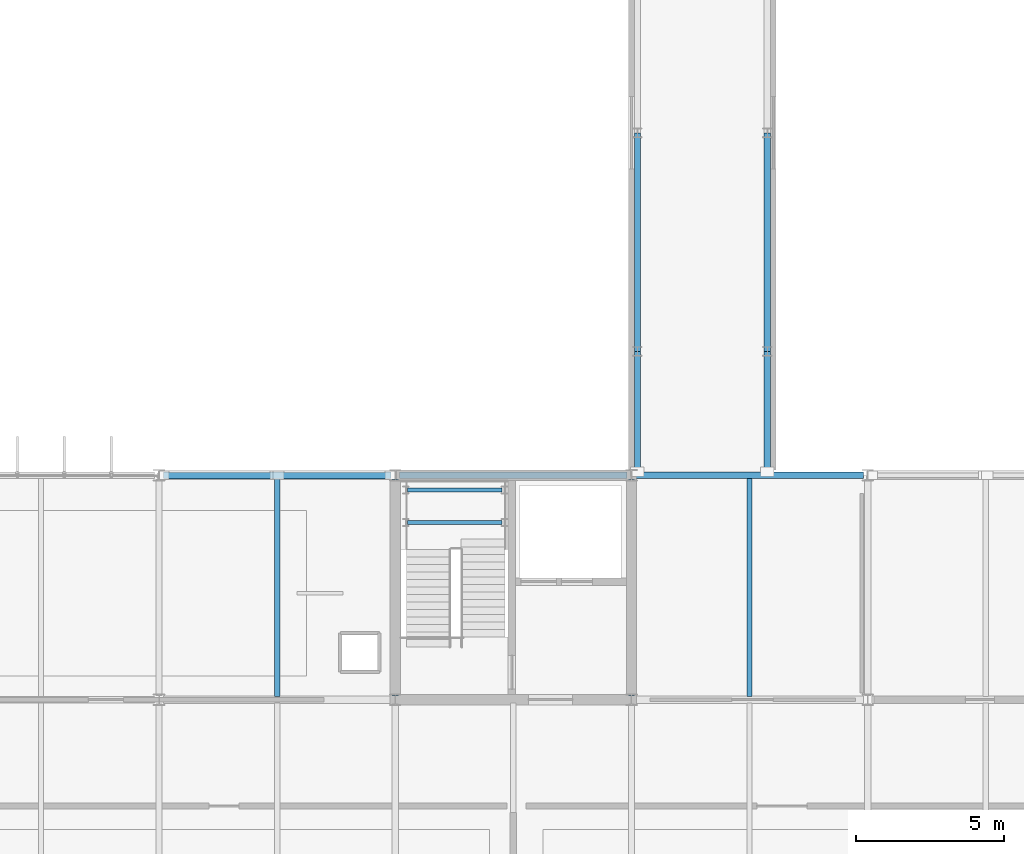
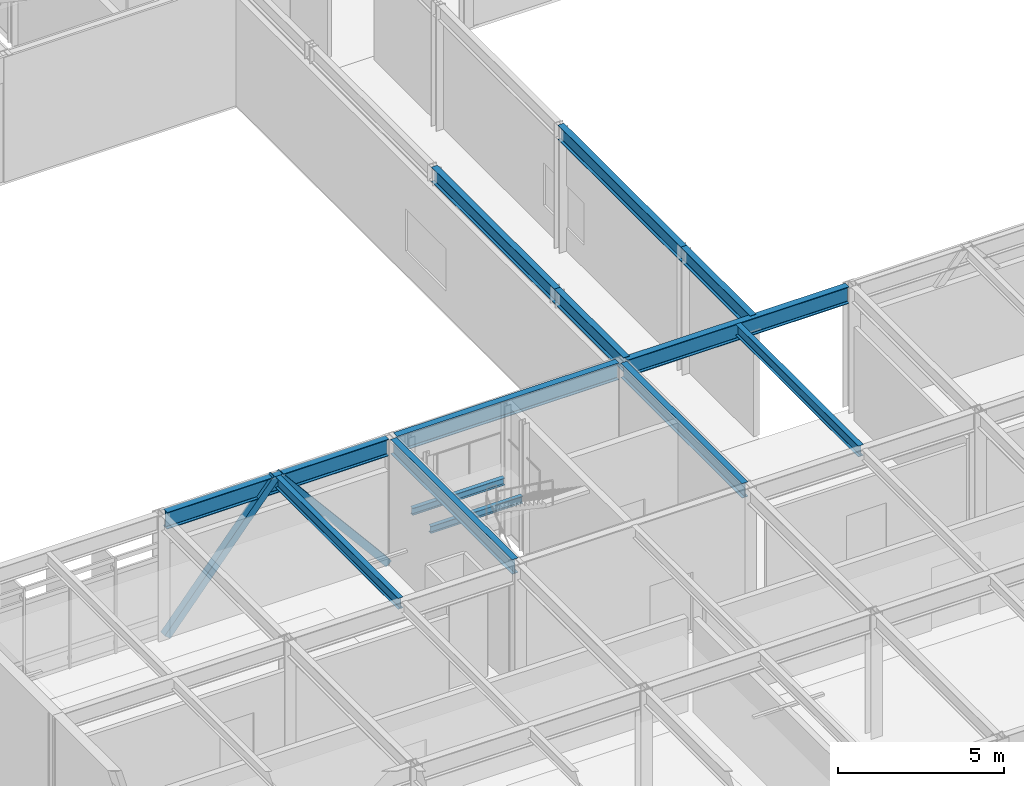
# One storey, part 28 of 104: 13 beams, 2 members.
"""IFC4 building model written with IfcOpenShell, lengths in metres."""

from ifc_helpers import new_model, si_unit, direction, frame, origin, origin_2d, place, context, subcontext, project, spatial, hollow_rectangle, i_section, extrude, material, material_profile, profile_set, type_object, element, save


model = new_model("IFC4")

# Units and contexts
model_context = context("Model", 3, precision=1e-05, world=origin(), true_north=direction((0.0, 1.0)))
body_context = subcontext(model_context, "Body", "Model", "MODEL_VIEW")
ifc_project = project(units=[si_unit("LENGTHUNIT", "METRE"), si_unit("AREAUNIT", "SQUARE_METRE"), si_unit("VOLUMEUNIT", "CUBIC_METRE"), si_unit("PLANEANGLEUNIT", "RADIAN"), si_unit("MASSUNIT", "GRAM", prefix="KILO")], contexts=[model_context])

# Site, building, storey
site_placement = place(None, origin())
site = spatial("IfcSite", under=ifc_project, at=site_placement, CompositionType="ELEMENT")
building_placement = place(site_placement, origin())
building = spatial("IfcBuilding", under=site, at=building_placement, Name="Zulena Civic Courthouse", CompositionType="ELEMENT")
storey_placement = place(building_placement, frame((0.0, 0.0, 10.800048828125)))
storey = spatial("IfcBuildingStorey", under=building, at=storey_placement, Name="L02", CompositionType="ELEMENT", Elevation=10.800048828125)

# Members
ifc_material_1 = material(Name="Steel ASTM A500 Grade C", Category="steel")
ifc_material_profile_1 = material_profile(ifc_material_1, hollow_rectangle(XDim=0.25390625, YDim=0.25390625, WallThickness=0.01171875, at=origin_2d()), Name="HSS10X10X1/2")
ifc_profile_set_1 = profile_set([ifc_material_profile_1], Name="Steel ASTM A500 Grade C")
member_type = type_object("IfcMemberType", Name="Brace_HSS10", PredefinedType="BRACE", material=ifc_profile_set_1)
for number, where, z_axis, x_axis, name in (
    (1, (12.14990234375, 22.800048828125, 0.010009765625), (0.641014438311, 0.0, 0.767528820225), (0.0, 1.0, 0.0), "brace:V2:L02:0:0"),
    (2, (19.85009765625, 22.800048828125, 0.010009765625), (-0.641014438311, 0.0, 0.767528820225), (0.0, -1.0, 0.0), "brace:V2:L02:0:1"),
):
    element("IfcMember", number, at=place(storey_placement, frame(where, z_axis=z_axis, x_axis=x_axis)), inside=storey, type_object=member_type, Name=name, PredefinedType="BRACE", context=body_context, shape_type="SweptSolid", body=[
        extrude(hollow_rectangle(XDim=0.25390625, YDim=0.25390625, WallThickness=0.01171875, at=origin_2d()), origin(), (0.0, 0.0, 1.0), 5.92822265625),
    ])

# Beams
ifc_material_2 = material(Name="Steel ASTM A992 Grade 50", Category="steel")
ifc_material_profile_2 = material_profile(ifc_material_2, i_section(OverallWidth=0.2099609375, OverallDepth=0.537109375, WebThickness=0.010986328125, FlangeThickness=0.017333984375, FilletRadius=0.0126953125, at=origin_2d()), Name="W21X68")
ifc_profile_set_2 = profile_set([ifc_material_profile_2], Name="Steel ASTM A992 Grade 50")
beam_type_1 = type_object("IfcBeamType", Name="BridgeGirder_W21X68", PredefinedType="BEAM", material=ifc_profile_set_2)
beam_1_placement = place(storey_placement, frame((28.199951171875, 22.830078125, 4.33642578125), z_axis=(0.0, 1.0, 0.0), x_axis=(-1.0, 0.0, 0.0)))
element("IfcBeam", 3, at=beam_1_placement, inside=storey, type_object=beam_type_1, Name="beam:bridge:BR-52J:L03:28.20:0", PredefinedType="BEAM", context=body_context, shape_type="SweptSolid", body=[
    extrude(i_section(OverallWidth=0.2099609375, OverallDepth=0.537109375, WebThickness=0.010986328125, FlangeThickness=0.017333984375, FilletRadius=0.0126953125, at=origin_2d()), origin(), (0.0, 0.0, 1.0), 4.169921875),
])
beam_2_placement = place(storey_placement, frame((28.199951171875, 27.0, 4.33642578125), z_axis=(0.0, 1.0, 0.0), x_axis=(-1.0, 0.0, 0.0)))
element("IfcBeam", 4, at=beam_2_placement, inside=storey, type_object=beam_type_1, Name="beam:bridge:BR-52J:L03:28.20:1", PredefinedType="BEAM", context=body_context, shape_type="SweptSolid", body=[
    extrude(i_section(OverallWidth=0.2099609375, OverallDepth=0.537109375, WebThickness=0.010986328125, FlangeThickness=0.017333984375, FilletRadius=0.0126953125, at=origin_2d()), origin(), (0.0, 0.0, 1.0), 7.39990234375),
])
beam_3_placement = place(storey_placement, frame((32.60009765625, 22.830078125, 4.33642578125), z_axis=(0.0, 1.0, 0.0), x_axis=(-1.0, 0.0, 0.0)))
element("IfcBeam", 5, at=beam_3_placement, inside=storey, type_object=beam_type_1, Name="beam:bridge:BR-52J:L03:32.60:0", PredefinedType="BEAM", context=body_context, shape_type="SweptSolid", body=[
    extrude(i_section(OverallWidth=0.2099609375, OverallDepth=0.537109375, WebThickness=0.010986328125, FlangeThickness=0.017333984375, FilletRadius=0.0126953125, at=origin_2d()), origin(), (0.0, 0.0, 1.0), 4.169921875),
])
beam_4_placement = place(storey_placement, frame((32.60009765625, 27.0, 4.33642578125), z_axis=(0.0, 1.0, 0.0), x_axis=(-1.0, 0.0, 0.0)))
element("IfcBeam", 6, at=beam_4_placement, inside=storey, type_object=beam_type_1, Name="beam:bridge:BR-52J:L03:32.60:1", PredefinedType="BEAM", context=body_context, shape_type="SweptSolid", body=[
    extrude(i_section(OverallWidth=0.2099609375, OverallDepth=0.537109375, WebThickness=0.010986328125, FlangeThickness=0.017333984375, FilletRadius=0.0126953125, at=origin_2d()), origin(), (0.0, 0.0, 1.0), 7.39990234375),
])
ifc_material_profile_3 = material_profile(ifc_material_2, i_section(OverallWidth=0.14599609375, OverallDepth=0.258056640625, WebThickness=0.006103515625, FlangeThickness=0.009033203125, FilletRadius=0.007568359375, at=origin_2d()), Name="W10X22")
ifc_profile_set_3 = profile_set([ifc_material_profile_3], Name="Steel ASTM A992 Grade 50")
beam_type_2 = type_object("IfcBeamType", Name="Joist_W10X22", PredefinedType="JOIST", material=ifc_profile_set_3)
for number, where, z_axis, x_axis, name in (
    (7, (20.419921875, 21.199951171875, 1.990966796875), (1.0, 0.0, 0.0), (0.0, 1.0, 0.0), "beam:lnd:K2A:L02:0"),
    (8, (20.419921875, 22.300048828125, 1.990966796875), (1.0, 0.0, 0.0), (0.0, 1.0, 0.0), "beam:lnd:K2A:L02:1"),
):
    element("IfcBeam", number, at=place(storey_placement, frame(where, z_axis=z_axis, x_axis=x_axis)), inside=storey, type_object=beam_type_2, Name=name, PredefinedType="JOIST", context=body_context, shape_type="SweptSolid", body=[
        extrude(i_section(OverallWidth=0.14599609375, OverallDepth=0.258056640625, WebThickness=0.006103515625, FlangeThickness=0.009033203125, FilletRadius=0.007568359375, at=origin_2d()), origin(), (0.0, 0.0, 1.0), 3.2001953125),
    ])
ifc_material_profile_4 = material_profile(ifc_material_2, i_section(OverallWidth=0.177978515625, OverallDepth=0.406005859375, WebThickness=0.0078125, FlangeThickness=0.0126953125, FilletRadius=0.01025390625, at=origin_2d()), Name="W16X40")
ifc_profile_set_4 = profile_set([ifc_material_profile_4], Name="Steel ASTM A992 Grade 50")
beam_type_3 = type_object("IfcBeamType", Name="Joist_W16X40", PredefinedType="JOIST", material=ifc_profile_set_4)
for number, where, z_axis, x_axis, name in (
    (9, (16.0, 15.304931640625, 4.386962890625), (0.0, 1.0, 0.0), (-1.0, 0.0, 0.0), "joist:V2:L02:16.00:15.2_22.8"),
    (10, (32.0, 15.304931640625, 4.386962890625), (0.0, 1.0, 0.0), (-1.0, 0.0, 0.0), "joist:V2:L02:32.00:15.2_22.8"),
):
    element("IfcBeam", number, at=place(storey_placement, frame(where, z_axis=z_axis, x_axis=x_axis)), inside=storey, type_object=beam_type_3, Name=name, PredefinedType="JOIST", context=body_context, shape_type="SweptSolid", body=[
        extrude(i_section(OverallWidth=0.177978515625, OverallDepth=0.406005859375, WebThickness=0.0078125, FlangeThickness=0.0126953125, FilletRadius=0.01025390625, at=origin_2d()), origin(), (0.0, 0.0, 1.0), 7.39013671875),
    ])
ifc_material_profile_5 = material_profile(ifc_material_2, i_section(OverallWidth=0.2099609375, OverallDepth=0.537109375, WebThickness=0.010986328125, FlangeThickness=0.017333984375, FilletRadius=0.0126953125, at=origin_2d()), Name="W21X68")
ifc_profile_set_5 = profile_set([ifc_material_profile_5], Name="Steel ASTM A992 Grade 50")
beam_type_4 = type_object("IfcBeamType", Name="Spandrel_W21X68", PredefinedType="SPANDREL", material=ifc_profile_set_5)
for number, where, z_axis, x_axis, name in (
    (11, (20.0, 15.344970703125, 4.321533203125), (0.0, 1.0, 0.0), (-1.0, 0.0, 0.0), "beam:Y:V2:L02:20.0:15.2_22.8"),
    (12, (28.0, 15.344970703125, 4.321533203125), (0.0, 1.0, 0.0), (-1.0, 0.0, 0.0), "beam:Y:V2:L02:28.0:15.2_22.8"),
):
    element("IfcBeam", number, at=place(storey_placement, frame(where, z_axis=z_axis, x_axis=x_axis)), inside=storey, type_object=beam_type_4, Name=name, PredefinedType="SPANDREL", context=body_context, shape_type="SweptSolid", body=[
        extrude(i_section(OverallWidth=0.2099609375, OverallDepth=0.537109375, WebThickness=0.010986328125, FlangeThickness=0.017333984375, FilletRadius=0.0126953125, at=origin_2d()), origin(), (0.0, 0.0, 1.0), 7.31005859375),
    ])
ifc_material_profile_6 = material_profile(ifc_material_2, i_section(OverallWidth=0.22998046875, OverallDepth=0.616943359375, WebThickness=0.01318359375, FlangeThickness=0.022216796875, FilletRadius=0.0126953125, at=origin_2d()), Name="W24X94")
ifc_profile_set_6 = profile_set([ifc_material_profile_6], Name="Steel ASTM A992 Grade 50")
beam_type_5 = type_object("IfcBeamType", Name="Spandrel_W24X94", PredefinedType="SPANDREL", material=ifc_profile_set_6)
for number, where, z_axis, x_axis, name in (
    (13, (12.14501953125, 22.800048828125, 4.281494140625), (1.0, 0.0, 0.0), (0.0, 1.0, 0.0), "beam:X:V2:L02:22.8:12.0_20.0"),
    (14, (20.14501953125, 22.800048828125, 4.281494140625), (1.0, 0.0, 0.0), (0.0, 1.0, 0.0), "beam:X:V2:L02:22.8:20.0_28.0"),
    (15, (28.14501953125, 22.800048828125, 4.281494140625), (1.0, 0.0, 0.0), (0.0, 1.0, 0.0), "beam:X:V2:L02:22.8:28.0_36.0"),
):
    element("IfcBeam", number, at=place(storey_placement, frame(where, z_axis=z_axis, x_axis=x_axis)), inside=storey, type_object=beam_type_5, Name=name, PredefinedType="SPANDREL", context=body_context, shape_type="SweptSolid", body=[
        extrude(i_section(OverallWidth=0.22998046875, OverallDepth=0.616943359375, WebThickness=0.01318359375, FlangeThickness=0.022216796875, FilletRadius=0.0126953125, at=origin_2d()), origin(), (0.0, 0.0, 1.0), 7.7099609375),
    ])

save(model, "model.ifc")
